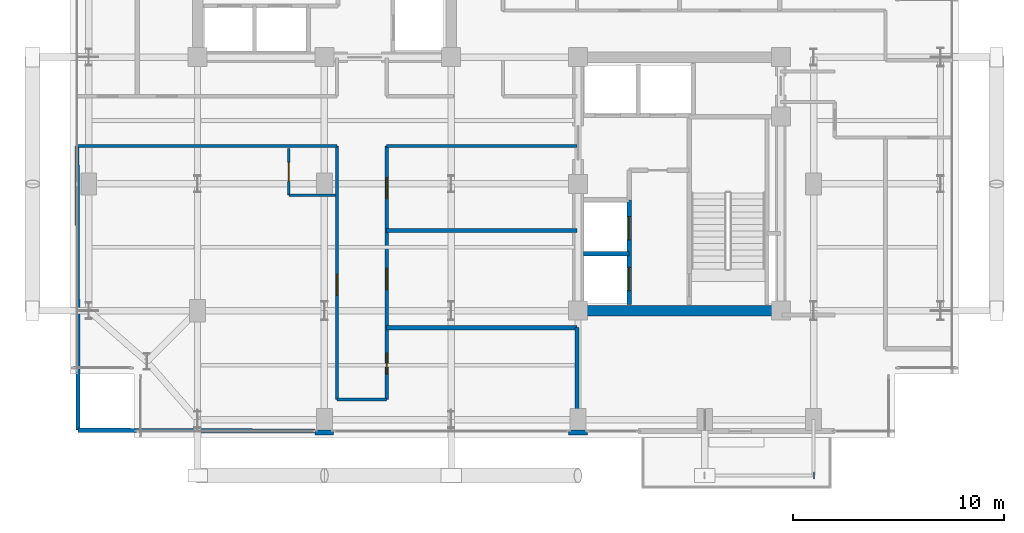
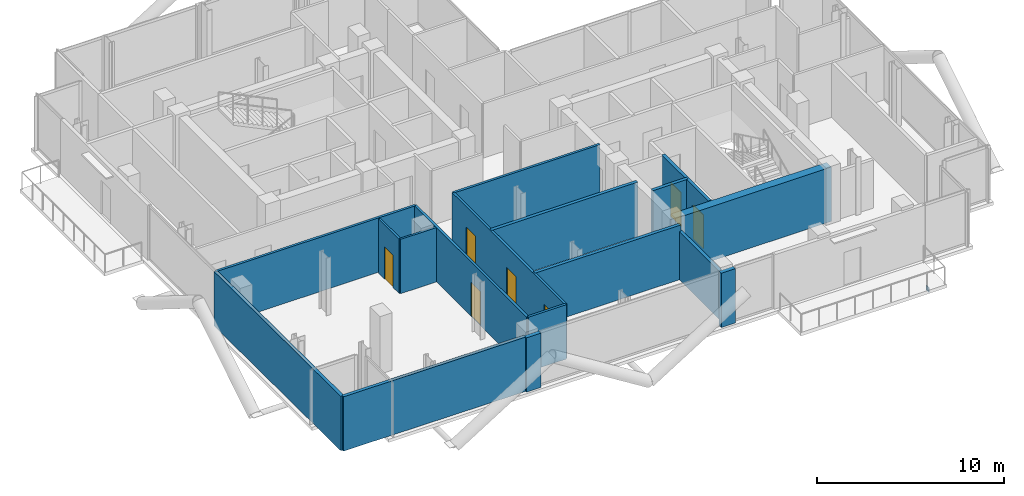
# One storey, part 19 of 25: 17 walls, 7 doors, 1 plate, 7 openings.
"""IFC4 building model written with IfcOpenShell, lengths in metres."""

from ifc_helpers import new_model, si_unit, direction, frame, frame_2d, origin, origin_2d, place, context, subcontext, project, spatial, rectangle, extrude, material, layer, layer_set, type_object, element, fill, save


model = new_model("IFC4")

# Units and contexts
model_context = context("Model", 3, precision=1e-05, world=origin(), true_north=direction((0.0, 1.0)))
body_context = subcontext(model_context, "Body", "Model", "MODEL_VIEW")
ifc_project = project(units=[si_unit("LENGTHUNIT", "METRE"), si_unit("AREAUNIT", "SQUARE_METRE"), si_unit("VOLUMEUNIT", "CUBIC_METRE"), si_unit("PLANEANGLEUNIT", "RADIAN"), si_unit("MASSUNIT", "GRAM", prefix="KILO"), si_unit("THERMODYNAMICTEMPERATUREUNIT", "KELVIN"), si_unit("POWERUNIT", "WATT")], contexts=[model_context])

# Site, building, storey
site_placement = place(None, origin())
site = spatial("IfcSite", under=ifc_project, at=site_placement, CompositionType="ELEMENT")
building_placement = place(site_placement, origin())
building = spatial("IfcBuilding", under=site, at=building_placement, Name="Svarakhadi Broadcast Tower", CompositionType="ELEMENT")
storey_placement = place(building_placement, frame((0.0, 0.0, 227.39990234375)))
storey = spatial("IfcBuildingStorey", under=building, at=storey_placement, Name="L56", CompositionType="ELEMENT", Elevation=227.39990234375)

# Plate
ifc_material_1 = material(Name="Steel S460ML (IS 2062 E450BR)", Category="steel")
ifc_layer_1 = layer(ifc_material_1, 0.028076171875)
ifc_layer_set_1 = layer_set([ifc_layer_1], Name="Steel S460ML (IS 2062 E450BR)")
plate_type = type_object("IfcPlateType", Name="Cap_Plate_CP02", PredefinedType="USERDEFINED", material=ifc_layer_set_1)
plate_placement = place(storey_placement, frame((35.1650390625, -1.800048828125, -0.5048828125), z_axis=(0.0, 0.0, 1.0), x_axis=(1.0, 0.0, 0.0)))
element("IfcPlate", 1, at=plate_placement, inside=storey, type_object=plate_type, Name="L56 Balcony Spandrel End Cap Plate 1F-B", ObjectType="FLANGE_PLATE", PredefinedType="USERDEFINED", context=body_context, shape_type="SweptSolid", body=[
    extrude(rectangle(XDim=0.0400390625, YDim=0.300048828125, at=origin_2d()), origin(), (0.0, 0.0, 1.0), 0.31005859375),
])

# Walls
ifc_material_2 = material(Name="Double-Stud Acoustic Studio Partition STC-62", Category="gypsum")
ifc_layer_2 = layer(ifc_material_2, 0.199951171875)
ifc_layer_set_2 = layer_set([ifc_layer_2], Name="Double-Stud Acoustic Studio Partition STC-62")
wall_type_1 = type_object("IfcWallType", Name="Wall_Acoust_200", PredefinedType="PARTITIONING", material=ifc_layer_set_2)
wall_1_placement = place(storey_placement, frame((0.35009765625, 0.35009765625, 0.0), z_axis=(0.0, 0.0, 1.0), x_axis=(0.999991617913, -0.004094398993, 0.0)))
element("IfcWall", 2, at=wall_1_placement, inside=storey, type_object=wall_type_1, Name="L56 Sunset Corner Hotel Suite Wall", PredefinedType="PARTITIONING", context=body_context, shape_type="SweptSolid", body=[
    extrude(rectangle(XDim=11.2099609375, YDim=0.199951171875, at=frame_2d((5.60498046875, 0.0))), origin(), (0.0, 0.0, 1.0), 3.5400390625),
])
wall_2_placement = place(storey_placement, frame((0.35009765625, 0.35009765625, 0.0), z_axis=(0.0, 0.0, 1.0), x_axis=(-0.003721090209, 0.99999307672, 0.0)))
element("IfcWall", 3, at=wall_2_placement, inside=storey, type_object=wall_type_1, Name="L56 Sunset Corner Hotel Suite Wall", PredefinedType="PARTITIONING", context=body_context, shape_type="SweptSolid", body=[
    extrude(rectangle(XDim=13.449951171875, YDim=0.199951171875, at=frame_2d((6.72509765625, 0.0))), origin(), (0.0, 0.0, 1.0), 3.5400390625),
])
wall_3_placement = place(storey_placement, frame((14.949951171875, 5.199951171875, 0.0), z_axis=(0.0, 0.0, 1.0), x_axis=(1.0, 0.0, 0.0)))
element("IfcWall", 4, at=wall_3_placement, inside=storey, type_object=wall_type_1, Name="L56 Hotel Summit Conference Room A Wall", PredefinedType="PARTITIONING", context=body_context, shape_type="SweptSolid", body=[
    extrude(rectangle(XDim=9.0, YDim=0.199951171875, at=frame_2d((4.5, 0.0))), origin(), (0.0, 0.0, 1.0), 3.5400390625),
])
wall_4_placement = place(storey_placement, frame((23.949951171875, 0.300048828125, 0.0), z_axis=(0.0, 0.0, 1.0), x_axis=(0.0, 1.0, 0.0)))
element("IfcWall", 5, at=wall_4_placement, inside=storey, type_object=wall_type_1, Name="L56 Hotel Summit Conference Room A Wall", PredefinedType="PARTITIONING", context=body_context, shape_type="SweptSolid", body=[
    extrude(rectangle(XDim=4.89990234375, YDim=0.199951171875, at=frame_2d((2.449951171875, 0.0))), origin(), (0.0, 0.0, 1.0), 3.132080078125),
])
wall_5_placement = place(storey_placement, frame((14.949951171875, 9.800048828125, 0.0), z_axis=(0.0, 0.0, 1.0), x_axis=(1.0, 0.0, 0.0)))
element("IfcWall", 6, at=wall_5_placement, inside=storey, type_object=wall_type_1, Name="L56 Hotel Summit Conference Room B Wall", PredefinedType="PARTITIONING", context=body_context, shape_type="SweptSolid", body=[
    extrude(rectangle(XDim=9.0, YDim=0.199951171875, at=frame_2d((4.5, 0.0))), origin(), (0.0, 0.0, 1.0), 3.5400390625),
])
ifc_material_3 = material(Name="Concrete C40/50 (IS 456 M50)", Category="concrete")
ifc_layer_3 = layer(ifc_material_3, 0.239990234375)
ifc_layer_set_3 = layer_set([ifc_layer_3], Name="Concrete C40/50 (IS 456 M50)")
wall_type_2 = type_object("IfcWallType", Name="Wall_Ext_240", PredefinedType="SOLIDWALL", material=ifc_layer_set_3)
for number, where, z_axis, x_axis, name in (
    (7, (24.43994140625, 0.239990234375, 0.0), (0.0, 0.0, 1.0), (-1.0, 0.0, 0.0), "L56 Perimeter Bronze Spandrel Closure Wall 03"),
    (8, (12.43994140625, 0.239990234375, 0.0), (0.0, 0.0, 1.0), (-1.0, 0.0, 0.0), "L56 Perimeter Bronze Spandrel Closure Wall 04"),
):
    element("IfcWall", number, at=place(storey_placement, frame(where, z_axis=z_axis, x_axis=x_axis)), inside=storey, type_object=wall_type_2, Name=name, PredefinedType="SOLIDWALL", context=body_context, shape_type="SweptSolid", body=[
        extrude(rectangle(XDim=0.8798828125, YDim=0.239990234375, at=frame_2d((0.43994140625, 0.0))), origin(), (0.0, 0.0, 1.0), 3.5400390625),
    ])
ifc_material_4 = material(Name="Fire-Rated Moisture-Resistant Gypsum Board Partition", Category="gypsum")
ifc_layer_4 = layer(ifc_material_4, 0.125)
ifc_layer_set_4 = layer_set([ifc_layer_4], Name="Fire-Rated Moisture-Resistant Gypsum Board Partition")
wall_type_3 = type_object("IfcWallType", Name="Wall_Part_125", PredefinedType="PARTITIONING", material=ifc_layer_set_4)
wall_6_placement = place(storey_placement, frame((10.320068359375, 11.469970703125, 0.0), z_axis=(0.0, 0.0, 1.0), x_axis=(1.0, 0.0, 0.0)))
element("IfcWall", 9, at=wall_6_placement, inside=storey, type_object=wall_type_3, Name="L56 Sunset Corner Hotel Suite En-Suite Wall", PredefinedType="PARTITIONING", context=body_context, shape_type="SweptSolid", body=[
    extrude(rectangle(XDim=2.199951171875, YDim=0.125, at=frame_2d((1.10009765625, 0.0))), origin(), (0.0, 0.0, 1.0), 3.5400390625),
])

# Wall, opening, door
wall_7_placement = place(storey_placement, frame((10.320068359375, 11.469970703125, 0.0), z_axis=(0.0, 0.0, 1.0), x_axis=(0.0, 1.0, 0.0)))
wall_7 = element("IfcWall", 10, at=wall_7_placement, inside=storey, type_object=wall_type_3, Name="L56 Sunset Corner Hotel Suite En-Suite Wall", PredefinedType="PARTITIONING", context=body_context, shape_type="SweptSolid", body=[
    extrude(rectangle(XDim=2.199951171875, YDim=0.125, at=frame_2d((1.10009765625, 0.0))), origin(), (0.0, 0.0, 1.0), 3.5400390625),
])
opening_1_placement = place(wall_7_placement, frame((0.64990234375, 0.0, 0.0)))
opening_1 = element("IfcOpeningElement", 11, at=opening_1_placement, cuts=wall_7, Name="Opening D-12", PredefinedType="OPENING", context=body_context, shape_type="SweptSolid", body=[
    extrude(rectangle(XDim=0.89990234375, YDim=2.10009765625, at=frame_2d((0.449951171875, 1.050048828125))), frame((0.0, 0.072509765625, 0.0), z_axis=(0.0, -1.0, 0.0), x_axis=(1.0, 0.0, 0.0)), (0.0, 0.0, 1.0), 0.14501953125),
])
ifc_material_5 = material(Name="Solid-Core Teak Veneer Acoustic Timber Leaf", Category="wood")
door_type_1 = type_object("IfcDoorType", Name="Door_WC_D01", OperationType="SINGLE_SWING_LEFT", PredefinedType="DOOR", material=ifc_material_5)
door_1_placement = place(opening_1_placement, origin())
door_1 = element("IfcDoor", 12, at=door_1_placement, inside=storey, type_object=door_type_1, Name="L56 Sunset Corner Hotel Suite En-Suite Door", OperationType="SINGLE_SWING_LEFT", OverallHeight=2.10009765625, OverallWidth=0.89990234375, PredefinedType="DOOR", context=body_context, shape_type="SweptSolid", body=[
    extrude(rectangle(XDim=0.89990234375, YDim=2.10009765625, at=frame_2d((0.449951171875, 1.050048828125))), frame((0.0, 0.02490234375, 0.0), z_axis=(0.0, -1.0, 0.0), x_axis=(1.0, 0.0, 0.0)), (0.0, 0.0, 1.0), 0.050048828125),
])
fill(opening_1, door_1)

# Walls
ifc_material_6 = material(Name="Autoclaved Aerated Concrete Blockwork 150 mm", Category="masonry")
ifc_layer_5 = layer(ifc_material_6, 0.14990234375)
ifc_layer_set_5 = layer_set([ifc_layer_5], Name="Autoclaved Aerated Concrete Blockwork 150 mm")
wall_type_4 = type_object("IfcWallType", Name="Wall_Part_150", PredefinedType="PARTITIONING", material=ifc_layer_set_5)
wall_8_placement = place(storey_placement, frame((12.60009765625, 13.800048828125, 0.0), z_axis=(0.0, 0.0, 1.0), x_axis=(-1.0, 0.0, 0.0)))
element("IfcWall", 13, at=wall_8_placement, inside=storey, type_object=wall_type_4, Name="L56 Upper Tower Concourse Wall", PredefinedType="PARTITIONING", context=body_context, shape_type="SweptSolid", body=[
    extrude(rectangle(XDim=12.300048828125, YDim=0.14990234375, at=frame_2d((6.14990234375, 0.0))), origin(), (0.0, 0.0, 1.0), 3.5400390625),
])
wall_9_placement = place(storey_placement, frame((23.949951171875, 13.800048828125, 0.0), z_axis=(0.0, 0.0, 1.0), x_axis=(-1.0, 0.0, 0.0)))
element("IfcWall", 14, at=wall_9_placement, inside=storey, type_object=wall_type_4, Name="L56 Upper Tower Concourse Wall", PredefinedType="PARTITIONING", context=body_context, shape_type="SweptSolid", body=[
    extrude(rectangle(XDim=9.0, YDim=0.14990234375, at=frame_2d((4.5, 0.0))), origin(), (0.0, 0.0, 1.0), 3.5400390625),
])

# Wall, openings, doors
wall_10_placement = place(storey_placement, frame((14.949951171875, 13.800048828125, 0.0), z_axis=(0.0, 0.0, 1.0), x_axis=(0.0, -1.0, 0.0)))
wall_10 = element("IfcWall", 15, at=wall_10_placement, inside=storey, type_object=wall_type_4, Name="L56 Upper Tower Concourse Wall", PredefinedType="PARTITIONING", context=body_context, shape_type="SweptSolid", body=[
    extrude(rectangle(XDim=12.0, YDim=0.14990234375, at=frame_2d((6.0, 0.0))), origin(), (0.0, 0.0, 1.0), 3.5400390625),
])
opening_2_placement = place(wall_10_placement, frame((9.800048828125, 0.0, 0.0)))
opening_2 = element("IfcOpeningElement", 16, at=opening_2_placement, cuts=wall_10, Name="Opening D-08", PredefinedType="OPENING", context=body_context, shape_type="SweptSolid", body=[
    extrude(rectangle(XDim=1.0, YDim=2.199951171875, at=frame_2d((0.5, 1.10009765625))), frame((0.0, 0.0849609375, 0.0), z_axis=(0.0, -1.0, 0.0), x_axis=(1.0, 0.0, 0.0)), (0.0, 0.0, 1.0), 0.169921875),
])
opening_3_placement = place(wall_10_placement, frame((5.800048828125, 0.0, 0.0)))
opening_3 = element("IfcOpeningElement", 17, at=opening_3_placement, cuts=wall_10, Name="Opening D-09", PredefinedType="OPENING", context=body_context, shape_type="SweptSolid", body=[
    extrude(rectangle(XDim=1.0, YDim=2.199951171875, at=frame_2d((0.5, 1.10009765625))), frame((0.0, 0.0849609375, 0.0), z_axis=(0.0, -1.0, 0.0), x_axis=(1.0, 0.0, 0.0)), (0.0, 0.0, 1.0), 0.169921875),
])
opening_4_placement = place(wall_10_placement, frame((1.5, 0.0, 0.0)))
opening_4 = element("IfcOpeningElement", 18, at=opening_4_placement, cuts=wall_10, Name="Opening D-08", PredefinedType="OPENING", context=body_context, shape_type="SweptSolid", body=[
    extrude(rectangle(XDim=1.0, YDim=2.199951171875, at=frame_2d((0.5, 1.10009765625))), frame((0.0, 0.0849609375, 0.0), z_axis=(0.0, -1.0, 0.0), x_axis=(1.0, 0.0, 0.0)), (0.0, 0.0, 1.0), 0.169921875),
])
door_type_2 = type_object("IfcDoorType", Name="Door_Suite_D08", OperationType="SINGLE_SWING_LEFT", PredefinedType="DOOR", material=ifc_material_5)
door_2_placement = place(opening_2_placement, origin())
door_2 = element("IfcDoor", 19, at=door_2_placement, inside=storey, type_object=door_type_2, Name="L56 Hotel Summit Conference Room A Door", OperationType="SINGLE_SWING_LEFT", OverallHeight=2.199951171875, OverallWidth=1.0, PredefinedType="DOOR", context=body_context, shape_type="SweptSolid", body=[
    extrude(rectangle(XDim=1.0, YDim=2.199951171875, at=frame_2d((0.5, 1.10009765625))), frame((0.0, 0.02490234375, 0.0), z_axis=(0.0, -1.0, 0.0), x_axis=(1.0, 0.0, 0.0)), (0.0, 0.0, 1.0), 0.050048828125),
])
fill(opening_2, door_2)
door_3_placement = place(opening_4_placement, origin())
door_3 = element("IfcDoor", 20, at=door_3_placement, inside=storey, type_object=door_type_2, Name="L56 Hospitality Business Centre Office Door", OperationType="SINGLE_SWING_LEFT", OverallHeight=2.199951171875, OverallWidth=1.0, PredefinedType="DOOR", context=body_context, shape_type="SweptSolid", body=[
    extrude(rectangle(XDim=1.0, YDim=2.199951171875, at=frame_2d((0.5, 1.10009765625))), frame((0.0, 0.02490234375, 0.0), z_axis=(0.0, -1.0, 0.0), x_axis=(1.0, 0.0, 0.0)), (0.0, 0.0, 1.0), 0.050048828125),
])
fill(opening_4, door_3)
door_type_3 = type_object("IfcDoorType", Name="Door_Suite_D09", OperationType="SINGLE_SWING_RIGHT", PredefinedType="DOOR", material=ifc_material_5)
door_4_placement = place(opening_3_placement, origin())
door_4 = element("IfcDoor", 21, at=door_4_placement, inside=storey, type_object=door_type_3, Name="L56 Hotel Summit Conference Room B Door", OperationType="SINGLE_SWING_RIGHT", OverallHeight=2.199951171875, OverallWidth=1.0, PredefinedType="DOOR", context=body_context, shape_type="SweptSolid", body=[
    extrude(rectangle(XDim=1.0, YDim=2.199951171875, at=frame_2d((0.5, 1.10009765625))), frame((0.0, 0.02490234375, 0.0), z_axis=(0.0, -1.0, 0.0), x_axis=(1.0, 0.0, 0.0)), (0.0, 0.0, 1.0), 0.050048828125),
])
fill(opening_3, door_4)

# Wall
wall_11_placement = place(storey_placement, frame((14.949951171875, 1.800048828125, 0.0), z_axis=(0.0, 0.0, 1.0), x_axis=(-1.0, 0.0, 0.0)))
element("IfcWall", 22, at=wall_11_placement, inside=storey, type_object=wall_type_4, Name="L56 Upper Tower Concourse Wall", PredefinedType="PARTITIONING", context=body_context, shape_type="SweptSolid", body=[
    extrude(rectangle(XDim=2.349853515625, YDim=0.14990234375, at=frame_2d((1.1748046875, 0.0))), origin(), (0.0, 0.0, 1.0), 3.5400390625),
])

# Wall, opening, door
wall_12_placement = place(storey_placement, frame((12.60009765625, 1.800048828125, 0.0), z_axis=(0.0, 0.0, 1.0), x_axis=(0.0, 1.0, 0.0)))
wall_12 = element("IfcWall", 23, at=wall_12_placement, inside=storey, type_object=wall_type_4, Name="L56 Upper Tower Concourse Wall", PredefinedType="PARTITIONING", context=body_context, shape_type="SweptSolid", body=[
    extrude(rectangle(XDim=12.0, YDim=0.14990234375, at=frame_2d((6.0, 0.0))), origin(), (0.0, 0.0, 1.0), 3.5400390625),
])
opening_5_placement = place(wall_12_placement, frame((4.925048828125, 0.0, 0.0)))
opening_5 = element("IfcOpeningElement", 24, at=opening_5_placement, cuts=wall_12, Name="Opening D-09", PredefinedType="OPENING", context=body_context, shape_type="SweptSolid", body=[
    extrude(rectangle(XDim=1.0, YDim=2.199951171875, at=frame_2d((0.5, 1.10009765625))), frame((0.0, 0.0849609375, 0.0), z_axis=(0.0, -1.0, 0.0), x_axis=(1.0, 0.0, 0.0)), (0.0, 0.0, 1.0), 0.169921875),
])
door_5_placement = place(opening_5_placement, origin())
door_5 = element("IfcDoor", 25, at=door_5_placement, inside=storey, type_object=door_type_3, Name="L56 Sunset Corner Hotel Suite Entrance Door", OperationType="SINGLE_SWING_RIGHT", OverallHeight=2.199951171875, OverallWidth=1.0, PredefinedType="DOOR", context=body_context, shape_type="SweptSolid", body=[
    extrude(rectangle(XDim=1.0, YDim=2.199951171875, at=frame_2d((0.5, 1.10009765625))), frame((0.0, 0.02490234375, 0.0), z_axis=(0.0, -1.0, 0.0), x_axis=(1.0, 0.0, 0.0)), (0.0, 0.0, 1.0), 0.050048828125),
])
fill(opening_5, door_5)

# Wall, openings, doors
ifc_material_7 = material(Name="Concrete C50/60 (IS 456 M60)", Category="concrete")
ifc_layer_6 = layer(ifc_material_7, 0.199951171875)
ifc_layer_set_6 = layer_set([ifc_layer_6], Name="Concrete C50/60 (IS 456 M60)")
wall_type_5 = type_object("IfcWallType", Name="Wall_Shear_200", PredefinedType="SHEAR", material=ifc_layer_set_6)
wall_13_placement = place(storey_placement, frame((26.419921875, 6.300048828125, 0.0), z_axis=(0.0, 0.0, 1.0), x_axis=(0.0, 1.0, 0.0)))
wall_13 = element("IfcWall", 26, at=wall_13_placement, inside=storey, type_object=wall_type_5, Name="L56 Firefighting Lift LF-03/04 Shaft Wall", PredefinedType="SHEAR", context=body_context, shape_type="SweptSolid", body=[
    extrude(rectangle(XDim=4.949951171875, YDim=0.199951171875, at=frame_2d((2.47509765625, 0.0))), origin(), (0.0, 0.0, 1.0), 3.5400390625),
])
opening_6_placement = place(wall_13_placement, frame((0.64990234375, 0.0, 0.0)))
opening_6 = element("IfcOpeningElement", 27, at=opening_6_placement, cuts=wall_13, Name="Opening LD-01", PredefinedType="OPENING", context=body_context, shape_type="SweptSolid", body=[
    extrude(rectangle(XDim=1.10009765625, YDim=2.199951171875, at=frame_2d((0.550048828125, 1.10009765625))), frame((0.0, 0.10986328125, 0.0), z_axis=(0.0, -1.0, 0.0), x_axis=(1.0, 0.0, 0.0)), (0.0, 0.0, 1.0), 0.219970703125),
])
opening_7_placement = place(wall_13_placement, frame((3.050048828125, 0.0, 0.0)))
opening_7 = element("IfcOpeningElement", 28, at=opening_7_placement, cuts=wall_13, Name="Opening LD-01", PredefinedType="OPENING", context=body_context, shape_type="SweptSolid", body=[
    extrude(rectangle(XDim=1.10009765625, YDim=2.199951171875, at=frame_2d((0.550048828125, 1.10009765625))), frame((0.0, 0.10986328125, 0.0), z_axis=(0.0, -1.0, 0.0), x_axis=(1.0, 0.0, 0.0)), (0.0, 0.0, 1.0), 0.219970703125),
])
ifc_material_8 = material(Name="Galvanised Powder-Coated Fire-Rated Steel Leaf", Category="steel")
door_type_4 = type_object("IfcDoorType", Name="Door_Lift_LD01", OperationType="SLIDING_TO_LEFT", PredefinedType="DOOR", material=ifc_material_8)
door_6_placement = place(opening_6_placement, origin())
door_6 = element("IfcDoor", 29, at=door_6_placement, inside=storey, type_object=door_type_4, Name="L56 Firefighting Lift LF-03 Landing Door", OperationType="SLIDING_TO_LEFT", OverallHeight=2.199951171875, OverallWidth=1.10009765625, PredefinedType="DOOR", context=body_context, shape_type="SweptSolid", body=[
    extrude(rectangle(XDim=1.10009765625, YDim=2.199951171875, at=frame_2d((0.550048828125, 1.10009765625))), frame((0.0, 0.02490234375, 0.0), z_axis=(0.0, -1.0, 0.0), x_axis=(1.0, 0.0, 0.0)), (0.0, 0.0, 1.0), 0.050048828125),
])
fill(opening_6, door_6)
door_7_placement = place(opening_7_placement, origin())
door_7 = element("IfcDoor", 30, at=door_7_placement, inside=storey, type_object=door_type_4, Name="L56 Firefighting Lift LF-04 Landing Door", OperationType="SLIDING_TO_LEFT", OverallHeight=2.199951171875, OverallWidth=1.10009765625, PredefinedType="DOOR", context=body_context, shape_type="SweptSolid", body=[
    extrude(rectangle(XDim=1.10009765625, YDim=2.199951171875, at=frame_2d((0.550048828125, 1.10009765625))), frame((0.0, 0.02490234375, 0.0), z_axis=(0.0, -1.0, 0.0), x_axis=(1.0, 0.0, 0.0)), (0.0, 0.0, 1.0), 0.050048828125),
])
fill(opening_7, door_7)

# Walls
wall_14_placement = place(storey_placement, frame((24.25, 8.699951171875, 0.0), z_axis=(0.0, 0.0, 1.0), x_axis=(1.0, 0.0, 0.0)))
element("IfcWall", 31, at=wall_14_placement, inside=storey, type_object=wall_type_5, Name="L56 Firefighting Lift LF-03/04 Divider Wall", PredefinedType="SHEAR", context=body_context, shape_type="SweptSolid", body=[
    extrude(rectangle(XDim=2.169921875, YDim=0.199951171875, at=frame_2d((1.0849609375, 0.0))), origin(), (0.0, 0.0, 1.0), 3.5400390625),
])
ifc_layer_7 = layer(ifc_material_7, 0.5)
ifc_layer_set_7 = layer_set([ifc_layer_7], Name="Concrete C50/60 (IS 456 M60)")
wall_type_6 = type_object("IfcWallType", Name="Wall_Shear_500", PredefinedType="SHEAR", material=ifc_layer_set_7)
wall_15_placement = place(storey_placement, frame((24.0, 6.0, 0.0), z_axis=(0.0, 0.0, 1.0), x_axis=(1.0, 0.0, 0.0)))
element("IfcWall", 32, at=wall_15_placement, inside=storey, type_object=wall_type_6, Name="L56 East Core South Shear Wall", PredefinedType="SHEAR", context=body_context, shape_type="SweptSolid", body=[
    extrude(rectangle(XDim=9.60009765625, YDim=0.5, at=frame_2d((4.800048828125, 0.0))), origin(), (0.0, 0.0, 1.0), 3.5400390625),
])

save(model, "model.ifc")
